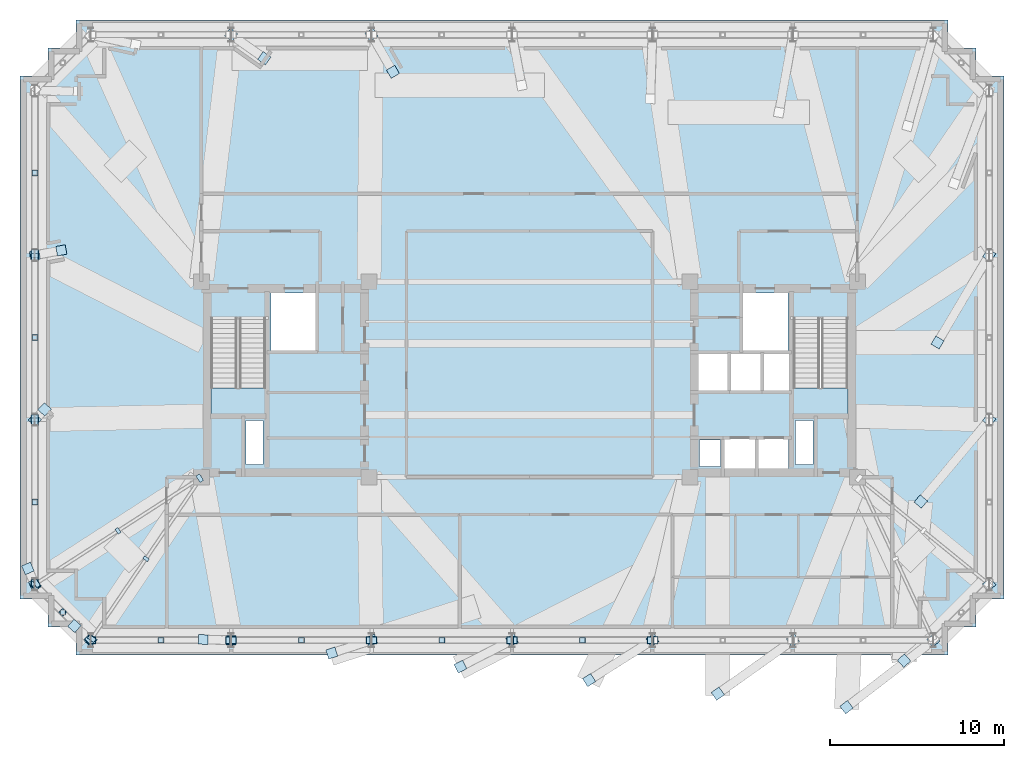
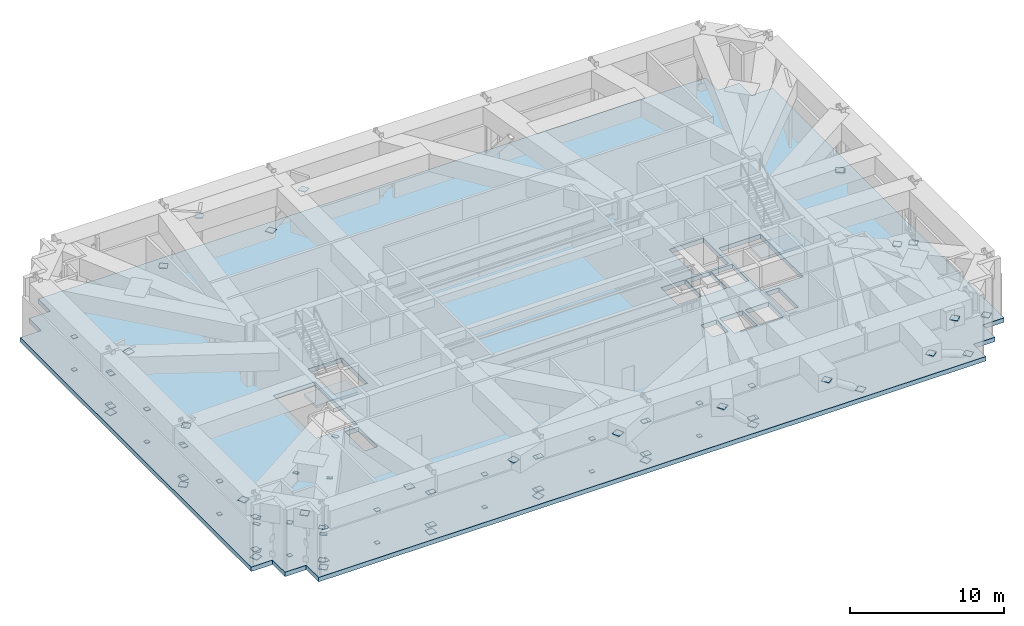
# One storey, part 11 of 18: 82 plates, 3 slabs, 2 elements without a shape of their own.
"""IFC4 building model written with IfcOpenShell, lengths in metres."""

from ifc_helpers import new_model, si_unit, direction, frame, origin, origin_2d, place, context, subcontext, project, spatial, polyline, rectangle, outline, extrude, material, layer, layer_set, type_object, element, aggregate, save


model = new_model("IFC4")

# Units and contexts
model_context = context("Model", 3, precision=1e-05, world=origin(), true_north=direction((0.0, 1.0)))
body_context = subcontext(model_context, "Body", "Model", "MODEL_VIEW")
ifc_project = project(units=[si_unit("LENGTHUNIT", "METRE"), si_unit("AREAUNIT", "SQUARE_METRE"), si_unit("VOLUMEUNIT", "CUBIC_METRE"), si_unit("PLANEANGLEUNIT", "RADIAN"), si_unit("MASSUNIT", "GRAM", prefix="KILO")], contexts=[model_context])

# Site, building, storey
site_placement = place(None, origin())
site = spatial("IfcSite", under=ifc_project, at=site_placement, CompositionType="ELEMENT")
building_placement = place(site_placement, origin())
building = spatial("IfcBuilding", under=site, at=building_placement, Name="Qobustan Lattice House", CompositionType="ELEMENT")
storey_placement = place(building_placement, frame((0.0, 0.0, 174.550048828125)))
storey = spatial("IfcBuildingStorey", under=building, at=storey_placement, Name="L49", CompositionType="ELEMENT", Elevation=174.550048828125)

# Plates
ifc_material_1 = material(Name="Steel S355", Category="steel")
ifc_layer_1 = layer(ifc_material_1, 0.030029296875)
ifc_layer_set_1 = layer_set([ifc_layer_1], Name="Steel S355")
plate_type = type_object("IfcPlateType", Name="PLT-CAP-25", PredefinedType="SHEET", material=ifc_layer_set_1)
for number, where, z_axis, x_axis, name in (
    (1, (-25.054931640625, -14.949951171875, 0.53515625), (0.0, 0.0, 1.0), (1.0, 0.0, 0.0), "L49 TT3 belt truss bottom chord S1-S2 end cap plate 1"),
    (2, (-17.195068359375, -14.949951171875, 0.53515625), (0.0, 0.0, 1.0), (1.0, 0.0, 0.0), "L49 TT3 belt truss bottom chord S1-S2 end cap plate 2"),
):
    element("IfcPlate", number, at=place(storey_placement, frame(where, z_axis=z_axis, x_axis=x_axis)), inside=storey, type_object=plate_type, Name=name, PredefinedType="SHEET", context=body_context, shape_type="SweptSolid", body=[
        extrude(rectangle(XDim=0.43994140625, YDim=0.43994140625, at=origin_2d()), origin(), (0.0, 0.0, 1.0), 0.030029296875),
    ])
for number, where, z_axis, x_axis, name in (
    (3, (-25.054931640625, -14.949951171875, 3.125), (0.0, 0.0, 1.0), (1.0, 0.0, 0.0), "L49 TT3 belt truss top chord S1-S2 end cap plate 1"),
    (4, (-17.195068359375, -14.949951171875, 3.125), (0.0, 0.0, 1.0), (1.0, 0.0, 0.0), "L49 TT3 belt truss top chord S1-S2 end cap plate 2"),
):
    element("IfcPlate", number, at=place(storey_placement, frame(where, z_axis=z_axis, x_axis=x_axis)), inside=storey, type_object=plate_type, Name=name, PredefinedType="SHEET", context=body_context, shape_type="SweptSolid", body=[
        extrude(rectangle(XDim=0.389892578125, YDim=0.389892578125, at=origin_2d()), origin(), (0.0, 0.0, 1.0), 0.030029296875),
    ])
plate_1_placement = place(storey_placement, frame((-21.120849609375, -14.949951171875, 3.1279296875), z_axis=(0.0, 0.0, 1.0), x_axis=(1.0, 0.0, 0.0)))
element("IfcPlate", 5, at=plate_1_placement, inside=storey, type_object=plate_type, Name="L49 TT3 belt truss web diagonal S1-S2 A end cap plate 2", PredefinedType="SHEET", context=body_context, shape_type="SweptSolid", body=[
    extrude(rectangle(XDim=0.340087890625, YDim=0.340087890625, at=origin_2d()), origin(), (0.0, 0.0, 1.0), 0.030029296875),
])
plate_2_placement = place(storey_placement, frame((-21.125, -14.949951171875, 0.52978515625), z_axis=(0.0, 0.0, 1.0), x_axis=(1.0, 0.0, 0.0)))
element("IfcPlate", 6, at=plate_2_placement, inside=storey, type_object=plate_type, Name="L49 TT3 belt truss vertical post S1-S2 end cap plate 1", PredefinedType="SHEET", context=body_context, shape_type="SweptSolid", body=[
    extrude(rectangle(XDim=0.2900390625, YDim=0.2900390625, at=origin_2d()), origin(), (0.0, 0.0, 1.0), 0.030029296875),
])
for number, where, z_axis, x_axis, name in (
    (7, (-17.0048828125, -14.949951171875, 0.53515625), (0.0, 0.0, 1.0), (1.0, 0.0, 0.0), "L49 TT3 belt truss bottom chord S2-S3 end cap plate 1"),
    (8, (-9.14501953125, -14.949951171875, 0.53515625), (0.0, 0.0, 1.0), (1.0, 0.0, 0.0), "L49 TT3 belt truss bottom chord S2-S3 end cap plate 2"),
):
    element("IfcPlate", number, at=place(storey_placement, frame(where, z_axis=z_axis, x_axis=x_axis)), inside=storey, type_object=plate_type, Name=name, PredefinedType="SHEET", context=body_context, shape_type="SweptSolid", body=[
        extrude(rectangle(XDim=0.43994140625, YDim=0.43994140625, at=origin_2d()), origin(), (0.0, 0.0, 1.0), 0.030029296875),
    ])
for number, where, z_axis, x_axis, name in (
    (9, (-17.0048828125, -14.949951171875, 3.125), (0.0, 0.0, 1.0), (1.0, 0.0, 0.0), "L49 TT3 belt truss top chord S2-S3 end cap plate 1"),
    (10, (-9.14501953125, -14.949951171875, 3.125), (0.0, 0.0, 1.0), (1.0, 0.0, 0.0), "L49 TT3 belt truss top chord S2-S3 end cap plate 2"),
):
    element("IfcPlate", number, at=place(storey_placement, frame(where, z_axis=z_axis, x_axis=x_axis)), inside=storey, type_object=plate_type, Name=name, PredefinedType="SHEET", context=body_context, shape_type="SweptSolid", body=[
        extrude(rectangle(XDim=0.389892578125, YDim=0.389892578125, at=origin_2d()), origin(), (0.0, 0.0, 1.0), 0.030029296875),
    ])
plate_3_placement = place(storey_placement, frame((-13.07080078125, -14.949951171875, 3.1279296875), z_axis=(0.0, 0.0, 1.0), x_axis=(1.0, 0.0, 0.0)))
element("IfcPlate", 11, at=plate_3_placement, inside=storey, type_object=plate_type, Name="L49 TT3 belt truss web diagonal S2-S3 A end cap plate 2", PredefinedType="SHEET", context=body_context, shape_type="SweptSolid", body=[
    extrude(rectangle(XDim=0.340087890625, YDim=0.340087890625, at=origin_2d()), origin(), (0.0, 0.0, 1.0), 0.030029296875),
])
plate_4_placement = place(storey_placement, frame((-13.074951171875, -14.949951171875, 0.52978515625), z_axis=(0.0, 0.0, 1.0), x_axis=(1.0, 0.0, 0.0)))
element("IfcPlate", 12, at=plate_4_placement, inside=storey, type_object=plate_type, Name="L49 TT3 belt truss vertical post S2-S3 end cap plate 1", PredefinedType="SHEET", context=body_context, shape_type="SweptSolid", body=[
    extrude(rectangle(XDim=0.2900390625, YDim=0.2900390625, at=origin_2d()), origin(), (0.0, 0.0, 1.0), 0.030029296875),
])
for number, where, z_axis, x_axis, name in (
    (13, (-8.955078125, -14.949951171875, 0.53515625), (0.0, 0.0, 1.0), (1.0, 0.0, 0.0), "L49 TT3 belt truss bottom chord S3-S4 end cap plate 1"),
    (14, (-1.094970703125, -14.949951171875, 0.53515625), (0.0, 0.0, 1.0), (1.0, 0.0, 0.0), "L49 TT3 belt truss bottom chord S3-S4 end cap plate 2"),
):
    element("IfcPlate", number, at=place(storey_placement, frame(where, z_axis=z_axis, x_axis=x_axis)), inside=storey, type_object=plate_type, Name=name, PredefinedType="SHEET", context=body_context, shape_type="SweptSolid", body=[
        extrude(rectangle(XDim=0.43994140625, YDim=0.43994140625, at=origin_2d()), origin(), (0.0, 0.0, 1.0), 0.030029296875),
    ])
for number, where, z_axis, x_axis, name in (
    (15, (-8.955078125, -14.949951171875, 3.125), (0.0, 0.0, 1.0), (1.0, 0.0, 0.0), "L49 TT3 belt truss top chord S3-S4 end cap plate 1"),
    (16, (-1.094970703125, -14.949951171875, 3.125), (0.0, 0.0, 1.0), (1.0, 0.0, 0.0), "L49 TT3 belt truss top chord S3-S4 end cap plate 2"),
):
    element("IfcPlate", number, at=place(storey_placement, frame(where, z_axis=z_axis, x_axis=x_axis)), inside=storey, type_object=plate_type, Name=name, PredefinedType="SHEET", context=body_context, shape_type="SweptSolid", body=[
        extrude(rectangle(XDim=0.389892578125, YDim=0.389892578125, at=origin_2d()), origin(), (0.0, 0.0, 1.0), 0.030029296875),
    ])
plate_5_placement = place(storey_placement, frame((-5.020751953125, -14.949951171875, 3.1279296875), z_axis=(0.0, 0.0, 1.0), x_axis=(1.0, 0.0, 0.0)))
element("IfcPlate", 17, at=plate_5_placement, inside=storey, type_object=plate_type, Name="L49 TT3 belt truss web diagonal S3-S4 A end cap plate 2", PredefinedType="SHEET", context=body_context, shape_type="SweptSolid", body=[
    extrude(rectangle(XDim=0.340087890625, YDim=0.340087890625, at=origin_2d()), origin(), (0.0, 0.0, 1.0), 0.030029296875),
])
plate_6_placement = place(storey_placement, frame((-5.02490234375, -14.949951171875, 0.52978515625), z_axis=(0.0, 0.0, 1.0), x_axis=(1.0, 0.0, 0.0)))
element("IfcPlate", 18, at=plate_6_placement, inside=storey, type_object=plate_type, Name="L49 TT3 belt truss vertical post S3-S4 end cap plate 1", PredefinedType="SHEET", context=body_context, shape_type="SweptSolid", body=[
    extrude(rectangle(XDim=0.2900390625, YDim=0.2900390625, at=origin_2d()), origin(), (0.0, 0.0, 1.0), 0.030029296875),
])
for number, where, z_axis, x_axis, name in (
    (19, (-0.905029296875, -14.949951171875, 0.53515625), (0.0, 0.0, 1.0), (1.0, 0.0, 0.0), "L49 TT3 belt truss bottom chord S4-S5 end cap plate 1"),
    (20, (6.955078125, -14.949951171875, 0.53515625), (0.0, 0.0, 1.0), (1.0, 0.0, 0.0), "L49 TT3 belt truss bottom chord S4-S5 end cap plate 2"),
):
    element("IfcPlate", number, at=place(storey_placement, frame(where, z_axis=z_axis, x_axis=x_axis)), inside=storey, type_object=plate_type, Name=name, PredefinedType="SHEET", context=body_context, shape_type="SweptSolid", body=[
        extrude(rectangle(XDim=0.43994140625, YDim=0.43994140625, at=origin_2d()), origin(), (0.0, 0.0, 1.0), 0.030029296875),
    ])
for number, where, z_axis, x_axis, name in (
    (21, (-0.905029296875, -14.949951171875, 3.125), (0.0, 0.0, 1.0), (1.0, 0.0, 0.0), "L49 TT3 belt truss top chord S4-S5 end cap plate 1"),
    (22, (6.955078125, -14.949951171875, 3.125), (0.0, 0.0, 1.0), (1.0, 0.0, 0.0), "L49 TT3 belt truss top chord S4-S5 end cap plate 2"),
):
    element("IfcPlate", number, at=place(storey_placement, frame(where, z_axis=z_axis, x_axis=x_axis)), inside=storey, type_object=plate_type, Name=name, PredefinedType="SHEET", context=body_context, shape_type="SweptSolid", body=[
        extrude(rectangle(XDim=0.389892578125, YDim=0.389892578125, at=origin_2d()), origin(), (0.0, 0.0, 1.0), 0.030029296875),
    ])
plate_7_placement = place(storey_placement, frame((3.029296875, -14.949951171875, 3.1279296875), z_axis=(0.0, 0.0, 1.0), x_axis=(1.0, 0.0, 0.0)))
element("IfcPlate", 23, at=plate_7_placement, inside=storey, type_object=plate_type, Name="L49 TT3 belt truss web diagonal S4-S5 A end cap plate 2", PredefinedType="SHEET", context=body_context, shape_type="SweptSolid", body=[
    extrude(rectangle(XDim=0.340087890625, YDim=0.340087890625, at=origin_2d()), origin(), (0.0, 0.0, 1.0), 0.030029296875),
])
plate_8_placement = place(storey_placement, frame((3.02490234375, -14.949951171875, 0.52978515625), z_axis=(0.0, 0.0, 1.0), x_axis=(1.0, 0.0, 0.0)))
element("IfcPlate", 24, at=plate_8_placement, inside=storey, type_object=plate_type, Name="L49 TT3 belt truss vertical post S4-S5 end cap plate 1", PredefinedType="SHEET", context=body_context, shape_type="SweptSolid", body=[
    extrude(rectangle(XDim=0.2900390625, YDim=0.2900390625, at=origin_2d()), origin(), (0.0, 0.0, 1.0), 0.030029296875),
])
for number, where, z_axis, x_axis, name in (
    (25, (7.14501953125, -14.949951171875, 0.53515625), (0.0, 0.0, 1.0), (1.0, 0.0, 0.0), "L49 TT3 belt truss bottom chord S5-S6 end cap plate 1"),
    (26, (-28.35009765625, 7.211669921875, 0.53515625), (0.0, 0.0, 1.0), (0.0, -1.0, 0.0), "L49 TT3 belt truss bottom chord W1-W2 end cap plate 2"),
):
    element("IfcPlate", number, at=place(storey_placement, frame(where, z_axis=z_axis, x_axis=x_axis)), inside=storey, type_object=plate_type, Name=name, PredefinedType="SHEET", context=body_context, shape_type="SweptSolid", body=[
        extrude(rectangle(XDim=0.43994140625, YDim=0.43994140625, at=origin_2d()), origin(), (0.0, 0.0, 1.0), 0.030029296875),
    ])
plate_9_placement = place(storey_placement, frame((-28.35009765625, 7.211669921875, 3.125), z_axis=(0.0, 0.0, 1.0), x_axis=(0.0, -1.0, 0.0)))
element("IfcPlate", 27, at=plate_9_placement, inside=storey, type_object=plate_type, Name="L49 TT3 belt truss top chord W1-W2 end cap plate 2", PredefinedType="SHEET", context=body_context, shape_type="SweptSolid", body=[
    extrude(rectangle(XDim=0.389892578125, YDim=0.389892578125, at=origin_2d()), origin(), (0.0, 0.0, 1.0), 0.030029296875),
])
plate_10_placement = place(storey_placement, frame((-28.35009765625, 11.828857421875, 3.12744140625), z_axis=(0.0, 0.0, 1.0), x_axis=(0.0, -1.0, 0.0)))
element("IfcPlate", 28, at=plate_10_placement, inside=storey, type_object=plate_type, Name="L49 TT3 belt truss web diagonal W1-W2 A end cap plate 2", PredefinedType="SHEET", context=body_context, shape_type="SweptSolid", body=[
    extrude(rectangle(XDim=0.340087890625, YDim=0.340087890625, at=origin_2d()), origin(), (0.0, 0.0, 1.0), 0.030029296875),
])
plate_11_placement = place(storey_placement, frame((-28.35009765625, 11.833251953125, 0.52978515625), z_axis=(0.0, 0.0, 1.0), x_axis=(1.0, 0.0, 0.0)))
element("IfcPlate", 29, at=plate_11_placement, inside=storey, type_object=plate_type, Name="L49 TT3 belt truss vertical post W1-W2 end cap plate 1", PredefinedType="SHEET", context=body_context, shape_type="SweptSolid", body=[
    extrude(rectangle(XDim=0.2900390625, YDim=0.2900390625, at=origin_2d()), origin(), (0.0, 0.0, 1.0), 0.030029296875),
])
for number, where, z_axis, x_axis, name in (
    (30, (-28.35009765625, 7.021728515625, 0.53515625), (0.0, 0.0, 1.0), (0.0, -1.0, 0.0), "L49 TT3 belt truss bottom chord W2-W3 end cap plate 1"),
    (31, (-28.35009765625, -2.2216796875, 0.53515625), (0.0, 0.0, 1.0), (0.0, -1.0, 0.0), "L49 TT3 belt truss bottom chord W2-W3 end cap plate 2"),
):
    element("IfcPlate", number, at=place(storey_placement, frame(where, z_axis=z_axis, x_axis=x_axis)), inside=storey, type_object=plate_type, Name=name, PredefinedType="SHEET", context=body_context, shape_type="SweptSolid", body=[
        extrude(rectangle(XDim=0.43994140625, YDim=0.43994140625, at=origin_2d()), origin(), (0.0, 0.0, 1.0), 0.030029296875),
    ])
for number, where, z_axis, x_axis, name in (
    (32, (-28.35009765625, 7.021728515625, 3.125), (0.0, 0.0, 1.0), (0.0, -1.0, 0.0), "L49 TT3 belt truss top chord W2-W3 end cap plate 1"),
    (33, (-28.35009765625, -2.2216796875, 3.125), (0.0, 0.0, 1.0), (0.0, -1.0, 0.0), "L49 TT3 belt truss top chord W2-W3 end cap plate 2"),
):
    element("IfcPlate", number, at=place(storey_placement, frame(where, z_axis=z_axis, x_axis=x_axis)), inside=storey, type_object=plate_type, Name=name, PredefinedType="SHEET", context=body_context, shape_type="SweptSolid", body=[
        extrude(rectangle(XDim=0.389892578125, YDim=0.389892578125, at=origin_2d()), origin(), (0.0, 0.0, 1.0), 0.030029296875),
    ])
plate_12_placement = place(storey_placement, frame((-28.35009765625, 2.3955078125, 3.12744140625), z_axis=(0.0, 0.0, 1.0), x_axis=(0.0, -1.0, 0.0)))
element("IfcPlate", 34, at=plate_12_placement, inside=storey, type_object=plate_type, Name="L49 TT3 belt truss web diagonal W2-W3 A end cap plate 2", PredefinedType="SHEET", context=body_context, shape_type="SweptSolid", body=[
    extrude(rectangle(XDim=0.340087890625, YDim=0.340087890625, at=origin_2d()), origin(), (0.0, 0.0, 1.0), 0.030029296875),
])
plate_13_placement = place(storey_placement, frame((-28.35009765625, 2.39990234375, 0.52978515625), z_axis=(0.0, 0.0, 1.0), x_axis=(1.0, 0.0, 0.0)))
element("IfcPlate", 35, at=plate_13_placement, inside=storey, type_object=plate_type, Name="L49 TT3 belt truss vertical post W2-W3 end cap plate 1", PredefinedType="SHEET", context=body_context, shape_type="SweptSolid", body=[
    extrude(rectangle(XDim=0.2900390625, YDim=0.2900390625, at=origin_2d()), origin(), (0.0, 0.0, 1.0), 0.030029296875),
])
for number, where, z_axis, x_axis, name in (
    (36, (-28.35009765625, -2.41162109375, 0.53515625), (0.0, 0.0, 1.0), (0.0, -1.0, 0.0), "L49 TT3 belt truss bottom chord W3-W4 end cap plate 1"),
    (37, (-28.35009765625, -11.655029296875, 0.53515625), (0.0, 0.0, 1.0), (0.0, -1.0, 0.0), "L49 TT3 belt truss bottom chord W3-W4 end cap plate 2"),
):
    element("IfcPlate", number, at=place(storey_placement, frame(where, z_axis=z_axis, x_axis=x_axis)), inside=storey, type_object=plate_type, Name=name, PredefinedType="SHEET", context=body_context, shape_type="SweptSolid", body=[
        extrude(rectangle(XDim=0.43994140625, YDim=0.43994140625, at=origin_2d()), origin(), (0.0, 0.0, 1.0), 0.030029296875),
    ])
for number, where, z_axis, x_axis, name in (
    (38, (-28.35009765625, -2.41162109375, 3.125), (0.0, 0.0, 1.0), (0.0, -1.0, 0.0), "L49 TT3 belt truss top chord W3-W4 end cap plate 1"),
    (39, (-28.35009765625, -11.655029296875, 3.125), (0.0, 0.0, 1.0), (0.0, -1.0, 0.0), "L49 TT3 belt truss top chord W3-W4 end cap plate 2"),
):
    element("IfcPlate", number, at=place(storey_placement, frame(where, z_axis=z_axis, x_axis=x_axis)), inside=storey, type_object=plate_type, Name=name, PredefinedType="SHEET", context=body_context, shape_type="SweptSolid", body=[
        extrude(rectangle(XDim=0.389892578125, YDim=0.389892578125, at=origin_2d()), origin(), (0.0, 0.0, 1.0), 0.030029296875),
    ])
plate_14_placement = place(storey_placement, frame((-28.35009765625, -7.037841796875, 3.12744140625), z_axis=(0.0, 0.0, 1.0), x_axis=(0.0, -1.0, 0.0)))
element("IfcPlate", 40, at=plate_14_placement, inside=storey, type_object=plate_type, Name="L49 TT3 belt truss web diagonal W3-W4 A end cap plate 2", PredefinedType="SHEET", context=body_context, shape_type="SweptSolid", body=[
    extrude(rectangle(XDim=0.340087890625, YDim=0.340087890625, at=origin_2d()), origin(), (0.0, 0.0, 1.0), 0.030029296875),
])
plate_15_placement = place(storey_placement, frame((-28.35009765625, -7.033447265625, 0.52978515625), z_axis=(0.0, 0.0, 1.0), x_axis=(1.0, 0.0, 0.0)))
element("IfcPlate", 41, at=plate_15_placement, inside=storey, type_object=plate_type, Name="L49 TT3 belt truss vertical post W3-W4 end cap plate 1", PredefinedType="SHEET", context=body_context, shape_type="SweptSolid", body=[
    extrude(rectangle(XDim=0.2900390625, YDim=0.2900390625, at=origin_2d()), origin(), (0.0, 0.0, 1.0), 0.030029296875),
])
for number, where, z_axis, x_axis, name in (
    (42, (-28.28271484375, -11.817138671875, 0.53515625), (0.0, 0.0, 1.0), (0.707106781187, -0.707106781187, 0.0), "L49 TT3 belt truss bottom chord W4-S1 end cap plate 1"),
    (43, (-25.21728515625, -14.8828125, 0.53515625), (0.0, 0.0, 1.0), (0.707106781187, -0.707106781187, 0.0), "L49 TT3 belt truss bottom chord W4-S1 end cap plate 2"),
):
    element("IfcPlate", number, at=place(storey_placement, frame(where, z_axis=z_axis, x_axis=x_axis)), inside=storey, type_object=plate_type, Name=name, PredefinedType="SHEET", context=body_context, shape_type="SweptSolid", body=[
        extrude(rectangle(XDim=0.43994140625, YDim=0.43994140625, at=origin_2d()), origin(), (0.0, 0.0, 1.0), 0.030029296875),
    ])
for number, where, z_axis, x_axis, name in (
    (44, (-28.28271484375, -11.817138671875, 3.125), (0.0, 0.0, 1.0), (0.707106781187, -0.707106781187, 0.0), "L49 TT3 belt truss top chord W4-S1 end cap plate 1"),
    (45, (-25.21728515625, -14.8828125, 3.125), (0.0, 0.0, 1.0), (0.707106781187, -0.707106781187, 0.0), "L49 TT3 belt truss top chord W4-S1 end cap plate 2"),
):
    element("IfcPlate", number, at=place(storey_placement, frame(where, z_axis=z_axis, x_axis=x_axis)), inside=storey, type_object=plate_type, Name=name, PredefinedType="SHEET", context=body_context, shape_type="SweptSolid", body=[
        extrude(rectangle(XDim=0.389892578125, YDim=0.389892578125, at=origin_2d()), origin(), (0.0, 0.0, 1.0), 0.030029296875),
    ])
plate_16_placement = place(storey_placement, frame((-26.747802734375, -13.352294921875, 3.12890625), z_axis=(0.0, 0.0, 1.0), x_axis=(0.707106781187, -0.707106781187, 0.0)))
element("IfcPlate", 46, at=plate_16_placement, inside=storey, type_object=plate_type, Name="L49 TT3 belt truss web diagonal W4-S1 A end cap plate 2", PredefinedType="SHEET", context=body_context, shape_type="SweptSolid", body=[
    extrude(rectangle(XDim=0.340087890625, YDim=0.340087890625, at=origin_2d()), origin(), (0.0, 0.0, 1.0), 0.030029296875),
])
plate_17_placement = place(storey_placement, frame((-26.75, -13.35009765625, 0.52978515625), z_axis=(0.0, 0.0, 1.0), x_axis=(1.0, 0.0, 0.0)))
element("IfcPlate", 47, at=plate_17_placement, inside=storey, type_object=plate_type, Name="L49 TT3 belt truss vertical post W4-S1 end cap plate 1", PredefinedType="SHEET", context=body_context, shape_type="SweptSolid", body=[
    extrude(rectangle(XDim=0.2900390625, YDim=0.2900390625, at=origin_2d()), origin(), (0.0, 0.0, 1.0), 0.030029296875),
])
for number, where, z_axis, x_axis, name in (
    (48, (-25.14892578125, -14.950927734375, -0.0048828125), (0.0, 0.0, 1.0), (-0.750722478299, 0.66061771137, 0.0), "L49 TT3 column transfer strut S1 end cap plate 1"),
    (49, (-26.080078125, -14.131591796875, 4.10986328125), (0.0, 0.0, 1.0), (-0.750722478299, 0.66061771137, 0.0), "L49 TT3 column transfer strut S1 end cap plate 2"),
    (50, (-17.09814453125, -14.949951171875, -0.0048828125), (0.0, 0.0, 1.0), (-0.999651820563, 0.026386315473, 0.0), "L49 TT3 column transfer strut S2 end cap plate 1"),
    (51, (-18.70458984375, -14.90771484375, 4.10986328125), (0.0, 0.0, 1.0), (-0.999651820563, 0.026386315473, 0.0), "L49 TT3 column transfer strut S2 end cap plate 2"),
    (52, (-9.047607421875, -14.94921875, -0.00439453125), (0.0, 0.0, 1.0), (-0.951889006575, -0.306443011278, 0.0), "L49 TT3 column transfer strut S3 end cap plate 1"),
    (53, (-11.329345703125, -15.683837890625, 4.109375), (0.0, 0.0, 1.0), (-0.951889006575, -0.306443011278, 0.0), "L49 TT3 column transfer strut S3 end cap plate 2"),
    (54, (-0.997314453125, -14.948486328125, -0.00390625), (0.0, 0.0, 1.0), (-0.89044326257, -0.455094271711, 0.0), "L49 TT3 column transfer strut S4 end cap plate 1"),
    (55, (-3.95361328125, -16.459716796875, 4.10888671875), (0.0, 0.0, 1.0), (-0.89044326257, -0.455094271711, 0.0), "L49 TT3 column transfer strut S4 end cap plate 2"),
    (56, (7.052978515625, -14.947998046875, -0.00341796875), (0.0, 0.0, 1.0), (-0.846100148785, -0.533023956522, 0.0), "L49 TT3 column transfer strut S5 end cap plate 1"),
    (57, (3.422119140625, -17.2353515625, 4.1083984375), (0.0, 0.0, 1.0), (-0.846100148785, -0.533023956522, 0.0), "L49 TT3 column transfer strut S5 end cap plate 2"),
    (58, (15.103271484375, -14.94775390625, -0.0029296875), (0.0, 0.0, 1.0), (-0.814794018543, -0.579750556142, 0.0), "L49 TT3 column transfer strut S6 end cap plate 1"),
    (59, (10.798095703125, -18.010986328125, 4.10791015625), (0.0, 0.0, 1.0), (-0.814794018543, -0.579750556142, 0.0), "L49 TT3 column transfer strut S6 end cap plate 2"),
    (60, (23.1533203125, -14.947509765625, -0.0029296875), (0.0, 0.0, 1.0), (-0.791938093575, -0.610601388751, 0.0), "L49 TT3 column transfer strut S7 end cap plate 1"),
    (61, (18.174072265625, -18.78662109375, 4.107421875), (0.0, 0.0, 1.0), (-0.791938093575, -0.610601388751, 0.0), "L49 TT3 column transfer strut S7 end cap plate 2"),
    (62, (26.353271484375, -11.747314453125, -0.0029296875), (0.0, 0.0, 1.0), (-0.745115261815, -0.666935714002, 0.0), "L49 TT3 column transfer strut E1 end cap plate 1"),
    (63, (21.47119140625, -16.11669921875, 4.107421875), (0.0, 0.0, 1.0), (-0.745115261815, -0.666935714002, 0.0), "L49 TT3 column transfer strut E1 end cap plate 2"),
    (64, (26.352783203125, -2.3134765625, -0.0029296875), (0.0, 0.0, 1.0), (-0.641797694016, -0.766873992228, 0.0), "L49 TT3 column transfer strut E2 end cap plate 1"),
    (65, (22.429931640625, -7.000732421875, 4.10791015625), (0.0, 0.0, 1.0), (-0.641797694016, -0.766873992228, 0.0), "L49 TT3 column transfer strut E2 end cap plate 2"),
    (66, (26.35205078125, 7.1201171875, -0.0029296875), (0.0, 0.0, 1.0), (-0.509492029423, -0.860475375565, 0.0), "L49 TT3 column transfer strut E3 end cap plate 1"),
    (67, (23.388671875, 2.115478515625, 4.10791015625), (0.0, 0.0, 1.0), (-0.509492029423, -0.860475375565, 0.0), "L49 TT3 column transfer strut E3 end cap plate 2"),
    (68, (-9.05126953125, 19.752197265625, -0.00439453125), (0.0, 0.0, 1.0), (0.50087641336, -0.865518814665, 0.0), "L49 TT3 column transfer strut N5 end cap plate 1"),
    (69, (-7.823974609375, 17.63134765625, 4.109375), (0.0, 0.0, 1.0), (0.50087641336, -0.865518814665, 0.0), "L49 TT3 column transfer strut N5 end cap plate 2"),
    (70, (-17.10205078125, 19.75146484375, -0.00439453125), (0.0, 0.0, 1.0), (0.81677248423, -0.576959885092, 0.0), "L49 TT3 column transfer strut N6 end cap plate 1"),
    (71, (-15.19921875, 18.4072265625, 4.109375), (0.0, 0.0, 1.0), (0.81677248423, -0.576959885092, 0.0), "L49 TT3 column transfer strut N6 end cap plate 2"),
    (72, (-28.351806640625, 7.116455078125, -0.0048828125), (0.0, 0.0, 1.0), (0.983293053318, 0.182029589071, 0.0), "L49 TT3 column transfer strut W2 end cap plate 1"),
    (73, (-26.830810546875, 7.39794921875, 4.10986328125), (0.0, 0.0, 1.0), (0.983293053318, 0.182029589071, 0.0), "L49 TT3 column transfer strut W2 end cap plate 2"),
    (74, (-28.3505859375, -2.3173828125, -0.0048828125), (0.0, 0.0, 1.0), (0.683133579996, 0.730293442311, 0.0), "L49 TT3 column transfer strut W3 end cap plate 1"),
    (75, (-27.7900390625, -1.71826171875, 4.10986328125), (0.0, 0.0, 1.0), (0.683133579996, 0.730293442311, 0.0), "L49 TT3 column transfer strut W3 end cap plate 2"),
    (76, (-28.349609375, -11.751220703125, -0.0048828125), (0.0, 0.0, 1.0), (-0.399741189774, 0.916628049537, 0.0), "L49 TT3 column transfer strut W4 end cap plate 1"),
    (77, (-28.74951171875, -10.834228515625, 4.10986328125), (0.0, 0.0, 1.0), (-0.399741189774, 0.916628049537, 0.0), "L49 TT3 column transfer strut W4 end cap plate 2"),
):
    element("IfcPlate", number, at=place(storey_placement, frame(where, z_axis=z_axis, x_axis=x_axis)), inside=storey, type_object=plate_type, Name=name, PredefinedType="SHEET", context=body_context, shape_type="SweptSolid", body=[
        extrude(rectangle(XDim=0.548095703125, YDim=0.548095703125, at=origin_2d()), origin(), (0.0, 0.0, 1.0), 0.030029296875),
    ])
for number, where, z_axis, x_axis, name in (
    (78, (-18.896728515625, -5.662353515625, 2.53515625), (0.0, 0.0, 1.0), (-0.840755644119, -0.54141476419, 0.0), "L49 TT3 outrigger chord OUT-WS end cap plate 1"),
    (79, (-28.25341796875, -11.687744140625, 2.53515625), (0.0, 0.0, 1.0), (-0.840755644119, -0.54141476419, 0.0), "L49 TT3 outrigger chord OUT-WS end cap plate 2"),
):
    element("IfcPlate", number, at=place(storey_placement, frame(where, z_axis=z_axis, x_axis=x_axis)), inside=storey, type_object=plate_type, Name=name, PredefinedType="SHEET", context=body_context, shape_type="SweptSolid", body=[
        extrude(rectangle(XDim=0.239990234375, YDim=0.43994140625, at=origin_2d()), origin(), (0.0, 0.0, 1.0), 0.030029296875),
    ])
plate_18_placement = place(storey_placement, frame((-23.5791015625, -8.677734375, 3.12548828125), z_axis=(0.0, 0.0, 1.0), x_axis=(-0.840755644119, -0.54141476419, 0.0)))
element("IfcPlate", 80, at=plate_18_placement, inside=storey, type_object=plate_type, Name="L49 TT3 outrigger diagonal OUT-WS-1 end cap plate 2", PredefinedType="SHEET", context=body_context, shape_type="SweptSolid", body=[
    extrude(rectangle(XDim=0.18994140625, YDim=0.340087890625, at=origin_2d()), origin(), (0.0, 0.0, 1.0), 0.030029296875),
])
plate_19_placement = place(storey_placement, frame((-25.08544921875, -14.854736328125, 2.53515625), z_axis=(0.0, 0.0, 1.0), x_axis=(-0.561837953368, -0.827247311362, 0.0)))
element("IfcPlate", 81, at=plate_19_placement, inside=storey, type_object=plate_type, Name="L49 TT3 outrigger chord OUT-WN end cap plate 2", PredefinedType="SHEET", context=body_context, shape_type="SweptSolid", body=[
    extrude(rectangle(XDim=0.239990234375, YDim=0.43994140625, at=origin_2d()), origin(), (0.0, 0.0, 1.0), 0.030029296875),
])
plate_20_placement = place(storey_placement, frame((-21.977783203125, -10.279052734375, 3.12548828125), z_axis=(0.0, 0.0, 1.0), x_axis=(-0.561837953368, -0.827247311362, 0.0)))
element("IfcPlate", 82, at=plate_20_placement, inside=storey, type_object=plate_type, Name="L49 TT3 outrigger diagonal OUT-WN-1 end cap plate 2", PredefinedType="SHEET", context=body_context, shape_type="SweptSolid", body=[
    extrude(rectangle(XDim=0.18994140625, YDim=0.340087890625, at=origin_2d()), origin(), (0.0, 0.0, 1.0), 0.030029296875),
])

# Slab
ifc_material_2 = material(Name="Concrete C50/60", Category="concrete")
ifc_layer_2 = layer(ifc_material_2, 0.35009765625)
ifc_layer_set_2 = layer_set([ifc_layer_2], Name="Concrete C50/60")
slab_type_1 = type_object("IfcSlabType", Name="SLB-FLR-350", PredefinedType="FLOOR", material=ifc_layer_set_2)
slab_1_placement = place(storey_placement, frame((0.0, 0.0, -0.35009765625)))
element("IfcSlab", 83, at=slab_1_placement, inside=storey, type_object=slab_type_1, Name="L49 structural floor slab", PredefinedType="FLOOR", context=body_context, shape_type="SweptSolid", body=[
    extrude(outline(polyline([(-26.0, -15.800048828125), (24.0, -15.800048828125), (24.0, -14.199951171875), (25.60009765625, -14.199951171875), (25.60009765625, -12.60009765625), (27.199951171875, -12.60009765625), (27.199951171875, 17.39990234375), (25.60009765625, 17.39990234375), (25.60009765625, 19.0), (24.0, 19.0), (24.0, 20.60009765625), (-26.0, 20.60009765625), (-26.0, 19.0), (-27.60009765625, 19.0), (-27.60009765625, 17.39990234375), (-29.199951171875, 17.39990234375), (-29.199951171875, -12.60009765625), (-27.60009765625, -12.60009765625), (-27.60009765625, -14.199951171875), (-26.0, -14.199951171875), (-26.0, -15.800048828125)]), holes=[polyline([(-18.25, -2.050048828125), (-18.25, 3.489990234375), (-15.1298828125, 3.489990234375), (-15.1298828125, -2.050048828125), (-18.25, -2.050048828125)]), polyline([(15.1298828125, -2.050048828125), (15.1298828125, 3.489990234375), (18.25, 3.489990234375), (18.25, -2.050048828125), (15.1298828125, -2.050048828125)]), polyline([(-14.820068359375, 1.64990234375), (-14.820068359375, 4.9599609375), (-12.25, 4.9599609375), (-12.25, 1.64990234375), (-14.820068359375, 1.64990234375)]), polyline([(12.25, 1.64990234375), (12.25, 4.9599609375), (14.820068359375, 4.9599609375), (14.820068359375, 1.64990234375), (12.25, 1.64990234375)]), polyline([(-16.260009765625, -4.8798828125), (-16.260009765625, -2.360107421875), (-15.260009765625, -2.360107421875), (-15.260009765625, -4.8798828125), (-16.260009765625, -4.8798828125)]), polyline([(15.260009765625, -4.8798828125), (15.260009765625, -2.360107421875), (16.260009765625, -2.360107421875), (16.260009765625, -4.8798828125), (15.260009765625, -4.8798828125)]), polyline([(11.179931640625, -5.35009765625), (11.179931640625, -3.419921875), (12.919921875, -3.419921875), (12.919921875, -5.35009765625), (11.179931640625, -5.35009765625)]), polyline([(13.1201171875, -5.35009765625), (13.1201171875, -3.419921875), (14.85009765625, -3.419921875), (14.85009765625, -5.35009765625), (13.1201171875, -5.35009765625)]), polyline([(9.760009765625, -5.0), (9.760009765625, -3.47998046875), (10.93994140625, -3.47998046875), (10.93994140625, -5.0), (9.760009765625, -5.0)]), polyline([(13.360107421875, -0.679931640625), (13.360107421875, 1.47998046875), (14.97998046875, 1.47998046875), (14.97998046875, -0.679931640625), (13.360107421875, -0.679931640625)]), polyline([(9.6201171875, -0.679931640625), (9.6201171875, 1.47998046875), (11.43994140625, 1.47998046875), (11.43994140625, -0.679931640625), (9.6201171875, -0.679931640625)]), polyline([(11.5, -0.679931640625), (11.5, 1.47998046875), (13.320068359375, 1.47998046875), (13.320068359375, -0.679931640625), (11.5, -0.679931640625)])]), origin(), (0.0, 0.0, 1.0), 0.35009765625),
])

# Stair, slab
ifc_material_3 = material(Name="Concrete C40/50", Category="concrete")
stair_type = type_object("IfcStairType", Name="STR-CORE-DOGLEG", PredefinedType="HALF_TURN_STAIR", material=ifc_material_3)
stair_1_placement = place(storey_placement, origin())
stair_1 = element("IfcStair", 84, at=stair_1_placement, inside=storey, type_object=stair_type, Name="L49 West protected exit stair ST-W1", PredefinedType="HALF_TURN_STAIR")
ifc_material_4 = material(Name="Concrete C40/50", Category="concrete")
ifc_layer_3 = layer(ifc_material_4, 0.199951171875)
ifc_layer_set_3 = layer_set([ifc_layer_3], Name="Concrete C40/50")
slab_type_2 = type_object("IfcSlabType", Name="SLB-LANDING-200", PredefinedType="LANDING", material=ifc_layer_set_3)
slab_2_placement = place(storey_placement, frame((0.0, 0.0, 2.349853515625)))
slab_2 = element("IfcSlab", 85, at=slab_2_placement, type_object=slab_type_2, Name="ST-W1 landing 1", PredefinedType="LANDING", context=body_context, shape_type="SweptSolid", body=[
    extrude(outline(polyline([(-18.25, -0.489990234375), (-18.25, -2.050048828125), (-15.1298828125, -2.050048828125), (-15.1298828125, -0.489990234375), (-18.25, -0.489990234375)])), origin(), (0.0, 0.0, 1.0), 0.2001953125),
])
aggregate(stair_1, [slab_2])

stair_2_placement = place(storey_placement, origin())
stair_2 = element("IfcStair", 86, at=stair_2_placement, inside=storey, type_object=stair_type, Name="L49 East protected exit stair ST-E1", PredefinedType="HALF_TURN_STAIR")
slab_3_placement = place(storey_placement, frame((0.0, 0.0, 2.349853515625)))
slab_3 = element("IfcSlab", 87, at=slab_3_placement, type_object=slab_type_2, Name="ST-E1 landing 1", PredefinedType="LANDING", context=body_context, shape_type="SweptSolid", body=[
    extrude(outline(polyline([(15.1298828125, -0.489990234375), (15.1298828125, -2.050048828125), (18.25, -2.050048828125), (18.25, -0.489990234375), (15.1298828125, -0.489990234375)])), origin(), (0.0, 0.0, 1.0), 0.2001953125),
])
aggregate(stair_2, [slab_3])

save(model, "model.ifc")
